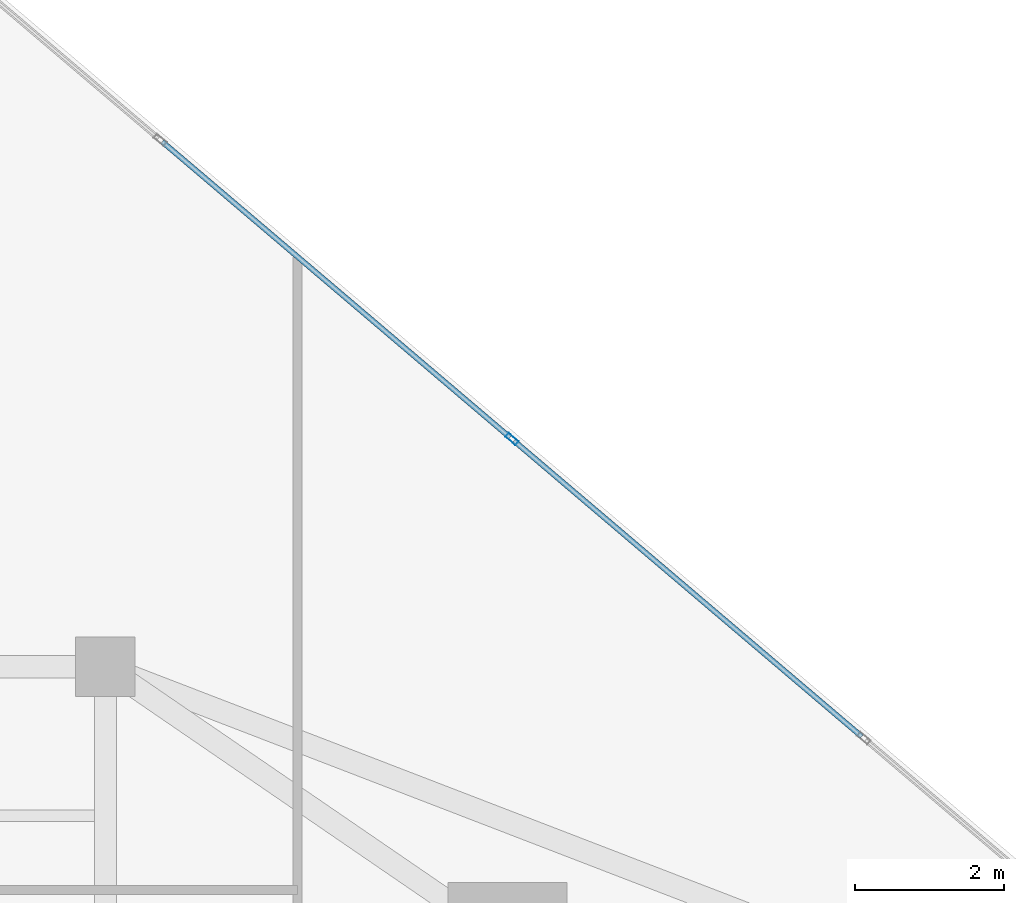
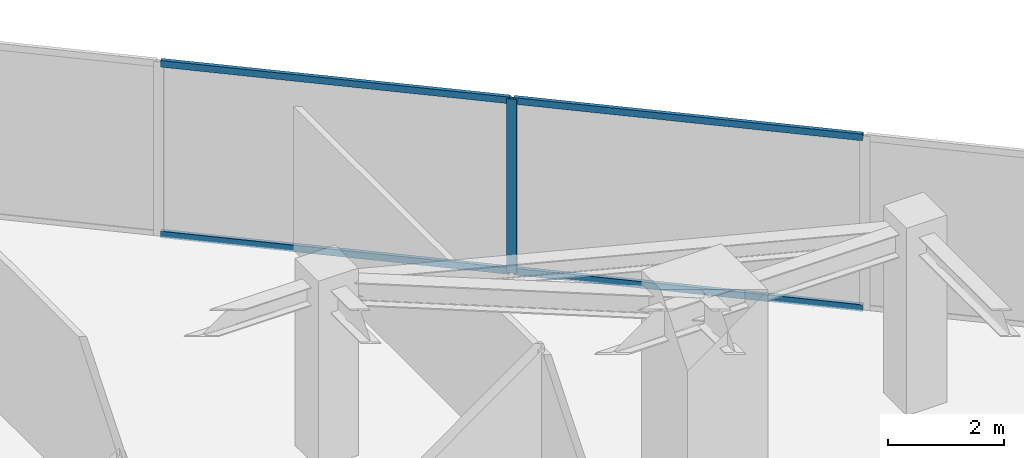
# One storey, part 20 of 25: 5 members, 1 element without a shape of its own.
"""IFC4 building model written with IfcOpenShell, lengths in metres."""

import ifcopenshell
import ifcopenshell.guid

model = None  # the IFC model being written
_history = None  # IfcOwnerHistory: only IFC2X3 demands one
_inside = {}  # id of a spatial element -> (the spatial element, [elements in it])
_under = {}  # id of a project, library or spatial element -> (it, [spatial elements below it])
_declared = {}  # id of a project -> (the project, [libraries it declares])
_typed = {}  # id of a type object -> (the type object, [elements of that type])
_made_of = {}  # id of a material, layer set ... -> (it, [elements and type objects made of it])


def new_model(schema):
    """Start an empty IFC model of exactly this schema.

    Asked for "IFC4X3", IfcOpenShell would pick the latest addendum, in which some entities
    have other attributes; the version numbers below select the first issue.
    IFC2X3 requires an IfcOwnerHistory on every rooted entity: one is made here for all.
    """
    global model, _history
    if schema == "IFC4X3":
        model = ifcopenshell.file(schema_version=(4, 3, 0, 0))
    else:
        model = ifcopenshell.file(schema=schema)
    _inside.clear()
    _under.clear()
    _declared.clear()
    _typed.clear()
    _made_of.clear()
    _history = None
    if model.schema == "IFC2X3":
        org = make("IfcOrganization", Name="unknown")
        user = make(
            "IfcPersonAndOrganization",
            ThePerson=make("IfcPerson", FamilyName="unknown"),
            TheOrganization=org,
        )
        app = make(
            "IfcApplication",
            ApplicationDeveloper=org,
            Version="unknown",
            ApplicationFullName="unknown",
            ApplicationIdentifier="unknown",
        )
        _history = make(
            "IfcOwnerHistory",
            OwningUser=user,
            OwningApplication=app,
            ChangeAction="ADDED",
            CreationDate=0,
        )
    return model


def make(cls, **values):
    """One entity of the class cls with the attributes given. An attribute that is None is left unset."""
    return model.create_entity(
        cls, **{name: value for name, value in values.items() if value is not None}
    )


def rooted(cls, **values):
    """An entity with a GlobalId (a new one), such as an element, a storey or a relation."""
    return make(cls, GlobalId=ifcopenshell.guid.new(), OwnerHistory=_history, **values)


def si_unit(unit_type, name, prefix=None):
    """IfcSIUnit, for example si_unit("LENGTHUNIT", "METRE", prefix="MILLI")."""
    return make("IfcSIUnit", UnitType=unit_type, Prefix=prefix, Name=name)


def assignment(units):
    """IfcUnitAssignment: the units of a project."""
    return None if units is None else make("IfcUnitAssignment", Units=units)


def point(xyz):
    """IfcCartesianPoint."""
    return None if xyz is None else make("IfcCartesianPoint", Coordinates=xyz)


def direction(xyz):
    """IfcDirection."""
    return None if xyz is None else make("IfcDirection", DirectionRatios=xyz)


def frame(location, z_axis=None, x_axis=None):
    """IfcAxis2Placement3D, a coordinate frame: its origin and axes. An axis left out is left unset."""
    return make(
        "IfcAxis2Placement3D",
        Location=point(location),
        Axis=direction(z_axis),
        RefDirection=direction(x_axis),
    )


def frame_2d(location, x_axis=None):
    """IfcAxis2Placement2D, a coordinate frame in the plane: its origin and x axis."""
    return make(
        "IfcAxis2Placement2D", Location=point(location), RefDirection=direction(x_axis)
    )


def origin():
    """The frame at (0, 0, 0) with its axes left unset."""
    return frame((0.0, 0.0, 0.0))


def origin_2d():
    """The frame at (0, 0) in the plane with its x axis left unset."""
    return frame_2d((0.0, 0.0))


def place(relative_to, where):
    """IfcLocalPlacement: puts the frame where relative to a parent placement (None: the world)."""
    return make(
        "IfcLocalPlacement", PlacementRelTo=relative_to, RelativePlacement=where
    )


def context(
    kind, dimensions, precision=None, world=None, true_north=None, identifier=None
):
    """IfcGeometricRepresentationContext, for example the 3D "Model" context."""
    return make(
        "IfcGeometricRepresentationContext",
        ContextIdentifier=identifier,
        ContextType=kind,
        CoordinateSpaceDimension=dimensions,
        Precision=precision,
        WorldCoordinateSystem=world,
        TrueNorth=true_north,
    )


def subcontext(parent, identifier, kind, view, scale=None):
    """IfcGeometricRepresentationSubContext, for example "Body" below "Model"."""
    return make(
        "IfcGeometricRepresentationSubContext",
        ContextIdentifier=identifier,
        ContextType=kind,
        ParentContext=parent,
        TargetScale=scale,
        TargetView=view,
    )


def project(units=None, contexts=None):
    """IfcProject with its units and contexts."""
    return rooted(
        "IfcProject",
        Name="project",
        RepresentationContexts=contexts,
        UnitsInContext=assignment(units),
    )


def spatial(cls, under=None, at=None, **own):
    """A site, building, storey or space (cls), placed at a placement, below another one or the project."""
    s = rooted(cls, ObjectPlacement=at, **own)
    if under is not None:
        _under.setdefault(under.id(), (under, []))[1].append(s)
    return s


def profile(cls, at=None, kind="AREA", **sizes):
    """A parametric profile (cls). Its sizes go by their IFC names, for example OverallWidth=200.0."""
    return make(cls, ProfileType=kind, Position=at, **sizes)


def hollow_rectangle(**sizes):
    """IfcRectangleHollowProfileDef."""
    return profile("IfcRectangleHollowProfileDef", **sizes)


def extrude(swept, where, along, depth):
    """IfcExtrudedAreaSolid: the profile swept, set in the frame where, extruded along a direction by depth."""
    return make(
        "IfcExtrudedAreaSolid",
        SweptArea=swept,
        Position=where,
        ExtrudedDirection=direction(along),
        Depth=depth,
    )


def shape(context_of_items, identifier, shape_type, items):
    """IfcShapeRepresentation: the items that make up one representation, for example the "Body"."""
    return make(
        "IfcShapeRepresentation",
        ContextOfItems=context_of_items,
        RepresentationIdentifier=identifier,
        RepresentationType=shape_type,
        Items=items,
    )


def source(mapping_origin, context_of_items, identifier, shape_type, items):
    """IfcRepresentationMap: a shape defined once, which mapped items show again and again."""
    return make(
        "IfcRepresentationMap",
        MappingOrigin=mapping_origin,
        MappedRepresentation=shape(context_of_items, identifier, shape_type, items),
    )


def transform(
    local_origin,
    x_axis=None,
    y_axis=None,
    z_axis=None,
    scale=None,
    scale2=None,
    scale3=None,
    uniform=True,
):
    """IfcCartesianTransformationOperator3D, or its non-uniform kind. x_axis, y_axis, z_axis: its Axis1, 2, 3."""
    if uniform:
        return make(
            "IfcCartesianTransformationOperator3D",
            Axis1=direction(x_axis),
            Axis2=direction(y_axis),
            LocalOrigin=point(local_origin),
            Scale=scale,
            Axis3=direction(z_axis),
        )
    return make(
        "IfcCartesianTransformationOperator3DnonUniform",
        Axis1=direction(x_axis),
        Axis2=direction(y_axis),
        LocalOrigin=point(local_origin),
        Scale=scale,
        Axis3=direction(z_axis),
        Scale2=scale2,
        Scale3=scale3,
    )


def mapped(mapping_source, mapping_target):
    """IfcMappedItem: shows the shape of a source again, moved by a transform."""
    return make(
        "IfcMappedItem", MappingSource=mapping_source, MappingTarget=mapping_target
    )


def material(Name=None, Category=None):
    """IfcMaterial."""
    return make("IfcMaterial", Name=Name, Category=Category)


def material_profile(
    of_material, cross_section, Name=None, Category=None, Priority=None
):
    """IfcMaterialProfile: a cross section and its material."""
    return make(
        "IfcMaterialProfile",
        Name=Name,
        Material=of_material,
        Profile=cross_section,
        Priority=Priority,
        Category=Category,
    )


def profile_set(profiles, Name=None, composite=None):
    """IfcMaterialProfileSet."""
    return make(
        "IfcMaterialProfileSet",
        Name=Name,
        MaterialProfiles=profiles,
        CompositeProfile=composite,
    )


def made_of(thing, what):
    """Note that an element or type object is made of a material, layer set ...; save() writes the relation."""
    if what is not None:
        _made_of.setdefault(what.id(), (what, []))[1].append(thing)
    return thing


def type_object(cls, material=None, **own):
    """A type object (cls), such as IfcWallType, which elements share."""
    return made_of(rooted(cls, **own), material)


def type_shapes(of_type, sources):
    """Give a type object the sources (RepresentationMaps) that its elements show as mapped items."""
    of_type.RepresentationMaps = sources


def element(
    cls,
    number,
    at=None,
    inside=None,
    cuts=None,
    type_object=None,
    material=None,
    context=None,
    identifier="Body",
    shape_type=None,
    held_by="IfcProductDefinitionShape",
    body=None,
    shapes=None,
    **own,
):
    """One element of the class cls, such as IfcWall. Its Tag is "e" and its number.

    at: its placement. inside: the storey or other place that contains it. cuts: it is an
    opening in that element (IfcRelVoidsElement). A single representation is given by context,
    identifier, shape_type and body (its items); several are given by shapes. held_by: the class
    of the entity that holds the representations. save() writes the other relations.
    """
    e = rooted(cls, Tag="e%d" % number, ObjectPlacement=at, **own)
    if body is not None:
        shapes = [shape(context, identifier, shape_type, body)]
    if shapes is not None:
        e.Representation = make(held_by, Representations=shapes)
    if inside is not None:
        _inside.setdefault(inside.id(), (inside, []))[1].append(e)
    if cuts is not None:
        rooted(
            "IfcRelVoidsElement", RelatingBuildingElement=cuts, RelatedOpeningElement=e
        )
    if type_object is not None:
        _typed.setdefault(type_object.id(), (type_object, []))[1].append(e)
    return made_of(e, material)


def aggregate(whole, parts):
    """IfcRelAggregates: a whole, such as a stair, and the parts it consists of."""
    return rooted("IfcRelAggregates", RelatingObject=whole, RelatedObjects=parts)


def save(model, path):
    """Write the relations noted so far, then the file.

    IfcRelAggregates (storeys below a building ...), IfcRelContainedInSpatialStructure (elements
    in a storey), IfcRelDefinesByType, IfcRelAssociatesMaterial and IfcRelDeclares: one each for
    every whole, place, type object, material and project.
    """
    for whole, parts in _under.values():
        aggregate(whole, parts)
    for where, things in _inside.values():
        rooted(
            "IfcRelContainedInSpatialStructure",
            RelatedElements=things,
            RelatingStructure=where,
        )
    for kind, things in _typed.values():
        rooted("IfcRelDefinesByType", RelatedObjects=things, RelatingType=kind)
    for what, things in _made_of.values():
        rooted("IfcRelAssociatesMaterial", RelatedObjects=things, RelatingMaterial=what)
    for by, libraries in _declared.values():
        rooted("IfcRelDeclares", RelatingContext=by, RelatedDefinitions=libraries)
    model.write(path)


model = new_model("IFC4")

# Units and contexts
model_context = context("Model", 3, precision=1e-05, world=origin(), true_north=direction((0.0, 1.0)))
body_context = subcontext(model_context, "Body", "Model", "MODEL_VIEW")
ifc_project = project(units=[si_unit("LENGTHUNIT", "METRE"), si_unit("AREAUNIT", "SQUARE_METRE"), si_unit("VOLUMEUNIT", "CUBIC_METRE"), si_unit("PLANEANGLEUNIT", "RADIAN"), si_unit("MASSUNIT", "GRAM", prefix="KILO")], contexts=[model_context])

# Site, building, storey
site_placement = place(None, origin())
site = spatial("IfcSite", under=ifc_project, at=site_placement, CompositionType="ELEMENT")
building_placement = place(site_placement, origin())
building = spatial("IfcBuilding", under=site, at=building_placement, Name="Krantzveldt Concourse Tower", CompositionType="ELEMENT")
storey_placement = place(building_placement, frame((0.0, 0.0, 211.25)))
storey = spatial("IfcBuildingStorey", under=building, at=storey_placement, Name="L51", CompositionType="ELEMENT", Elevation=211.25)

# Curtain wall, members
ifc_material = material(Name="Anodised aluminium 6063-T6", Category="aluminium")
curtain_wall_type = type_object("IfcCurtainWallType", Name="CW3", PredefinedType="USERDEFINED", material=ifc_material)
curtain_wall_placement = place(storey_placement, origin())
curtain_wall = element("IfcCurtainWall", 1, at=curtain_wall_placement, inside=storey, type_object=curtain_wall_type, Name="CW-L51-F10", ObjectType="UNITISED CURTAIN WALL", PredefinedType="USERDEFINED")
ifc_material_profile_1 = material_profile(ifc_material, hollow_rectangle(XDim=0.070068359375, YDim=0.179931640625, WallThickness=0.0048828125, at=origin_2d()), Name="Anodised aluminium 6063-T6", Category="aluminium")
ifc_profile_set_1 = profile_set([ifc_material_profile_1], Name="Anodised aluminium 6063-T6 - ALU-MULL 180x70x5")
member_type_1 = type_object("IfcMemberType", Name="CW-MUL-180", PredefinedType="MULLION", material=ifc_profile_set_1)
shared_shape_1 = source(origin(), body_context, "Body", "SweptSolid", [
    extrude(hollow_rectangle(XDim=0.070068359375, YDim=0.179931640625, WallThickness=0.0048828125, at=origin_2d()), origin(), (0.0, 0.0, 1.0), 3.669921875),
])
type_shapes(member_type_1, [shared_shape_1])
member_1_placement = place(storey_placement, frame((46.859619140625, 44.2568359375, 0.0), z_axis=(0.0, 0.0, 1.0), x_axis=(-0.647787694805, -0.761820912327, 0.0)))
member_1 = element("IfcMember", 2, at=member_1_placement, type_object=member_type_1, Name="CW-Z34 mullion 4", PredefinedType="MULLION", context=body_context, shape_type="MappedRepresentation", body=[
    mapped(shared_shape_1, transform((0.0, 0.0, 0.0), x_axis=(1.0, 0.0, 0.0), y_axis=(0.0, 1.0, 0.0), z_axis=(0.0, 0.0, 1.0), scale=1.0)),
])
ifc_material_profile_2 = material_profile(ifc_material, hollow_rectangle(XDim=0.070068359375, YDim=0.139892578125, WallThickness=0.0048828125, at=origin_2d()), Name="Anodised aluminium 6063-T6", Category="aluminium")
ifc_profile_set_2 = profile_set([ifc_material_profile_2], Name="Anodised aluminium 6063-T6 - ALU-TRAN 140x70x5")
member_type_2 = type_object("IfcMemberType", Name="CW-TRN-150", PredefinedType="USERDEFINED", material=ifc_profile_set_2)
shared_shape_2 = source(origin(), body_context, "Body", "SweptSolid", [
    extrude(hollow_rectangle(XDim=0.070068359375, YDim=0.139892578125, WallThickness=0.0048828125, at=origin_2d()), origin(), (0.0, 0.0, 1.0), 6.1298828125),
])
type_shapes(member_type_2, [shared_shape_2])
member_2_placement = place(storey_placement, frame((51.556396484375, 40.26318359375, 0.034912109375), z_axis=(-0.761817452252, 0.647791763952, 0.0), x_axis=(-0.647791763952, -0.761817452252, 0.0)))
member_2 = element("IfcMember", 3, at=member_2_placement, type_object=member_type_2, Name="CW-Z34 transom 3.1", ObjectType="TRANSOM", PredefinedType="USERDEFINED", context=body_context, shape_type="MappedRepresentation", body=[
    mapped(shared_shape_2, transform((0.0, 0.0, 0.0), x_axis=(1.0, 0.0, 0.0), y_axis=(0.0, 1.0, 0.0), z_axis=(0.0, 0.0, 1.0), scale=1.0)),
])
member_3_placement = place(storey_placement, frame((51.556396484375, 40.26318359375, 3.635009765625), z_axis=(-0.761817452252, 0.647791763952, 0.0), x_axis=(-0.647791763952, -0.761817452252, 0.0)))
member_3 = element("IfcMember", 4, at=member_3_placement, type_object=member_type_2, Name="CW-Z34 transom 3.2", ObjectType="TRANSOM", PredefinedType="USERDEFINED", context=body_context, shape_type="MappedRepresentation", body=[
    mapped(shared_shape_2, transform((0.0, 0.0, 0.0), x_axis=(1.0, 0.0, 0.0), y_axis=(0.0, 1.0, 0.0), z_axis=(0.0, 0.0, 1.0), scale=1.0)),
])
member_4_placement = place(storey_placement, frame((46.8330078125, 44.279541015625, 0.034912109375), z_axis=(-0.761817452252, 0.647791763952, 0.0), x_axis=(-0.647791763952, -0.761817452252, 0.0)))
member_4 = element("IfcMember", 5, at=member_4_placement, type_object=member_type_2, Name="CW-Z34 transom 4.1", ObjectType="TRANSOM", PredefinedType="USERDEFINED", context=body_context, shape_type="MappedRepresentation", body=[
    mapped(shared_shape_2, transform((0.0, 0.0, 0.0), x_axis=(1.0, 0.0, 0.0), y_axis=(0.0, 1.0, 0.0), z_axis=(0.0, 0.0, 1.0), scale=1.0)),
])
member_5_placement = place(storey_placement, frame((46.8330078125, 44.279541015625, 3.635009765625), z_axis=(-0.761817452252, 0.647791763952, 0.0), x_axis=(-0.647791763952, -0.761817452252, 0.0)))
member_5 = element("IfcMember", 6, at=member_5_placement, type_object=member_type_2, Name="CW-Z34 transom 4.2", ObjectType="TRANSOM", PredefinedType="USERDEFINED", context=body_context, shape_type="MappedRepresentation", body=[
    mapped(shared_shape_2, transform((0.0, 0.0, 0.0), x_axis=(1.0, 0.0, 0.0), y_axis=(0.0, 1.0, 0.0), z_axis=(0.0, 0.0, 1.0), scale=1.0)),
])
aggregate(curtain_wall, [member_1, member_2, member_3, member_4, member_5])

save(model, "model.ifc")
